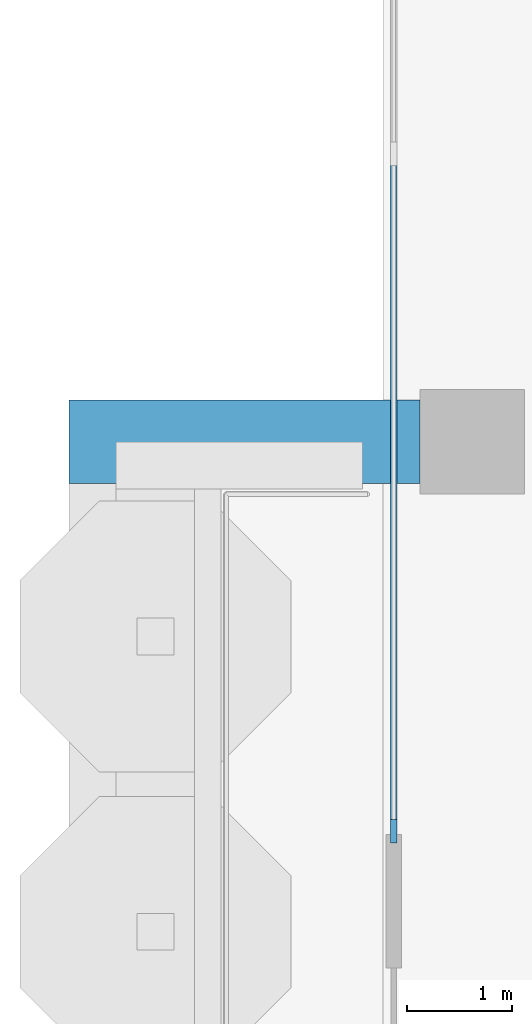
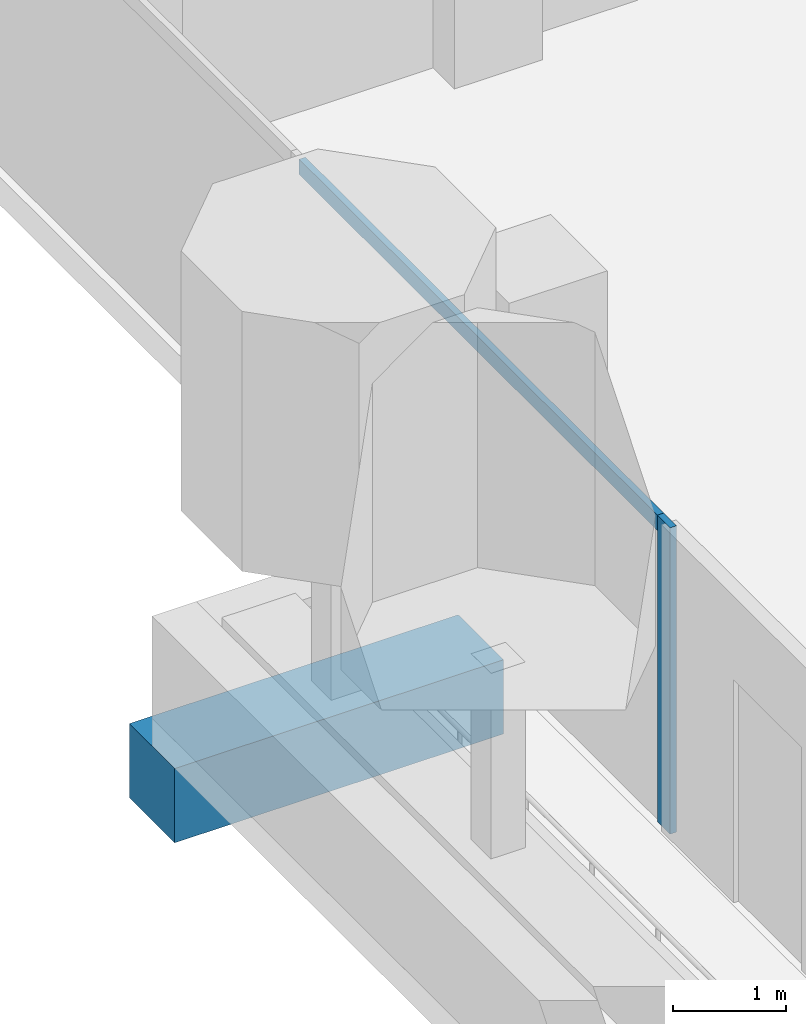
# One storey, part 3 of 18: 2 members, 1 beam, 1 element without a shape of its own.
"""IFC4 building model written with IfcOpenShell, lengths in metres."""

from ifc_helpers import new_model, si_unit, direction, frame, origin, origin_2d, place, context, subcontext, project, spatial, rectangle, extrude, material, material_profile, profile_set, type_object, element, aggregate, save


model = new_model("IFC4")

# Units and contexts
model_context = context("Model", 3, precision=1e-05, world=origin(), true_north=direction((0.0, 1.0)))
body_context = subcontext(model_context, "Body", "Model", "MODEL_VIEW")
ifc_project = project(units=[si_unit("LENGTHUNIT", "METRE"), si_unit("AREAUNIT", "SQUARE_METRE"), si_unit("VOLUMEUNIT", "CUBIC_METRE"), si_unit("PLANEANGLEUNIT", "RADIAN"), si_unit("MASSUNIT", "GRAM", prefix="KILO")], contexts=[model_context])

# Site, building, storey
site_placement = place(None, origin())
site = spatial("IfcSite", under=ifc_project, at=site_placement, CompositionType="ELEMENT")
building_placement = place(site_placement, origin())
building = spatial("IfcBuilding", under=site, at=building_placement, Name="Pilkhan Gate Tower", CompositionType="ELEMENT")
storey_placement = place(building_placement, frame((0.0, 0.0, 210.300048828125)))
storey = spatial("IfcBuildingStorey", under=building, at=storey_placement, Name="L54", CompositionType="ELEMENT", Elevation=210.300048828125)

# Beam
ifc_material_1 = material(Name="Concrete C50/60", Category="concrete")
ifc_material_profile_1 = material_profile(ifc_material_1, rectangle(XDim=0.800048828125, YDim=0.800048828125, at=origin_2d()), Name="RC 800x800")
ifc_profile_set_1 = profile_set([ifc_material_profile_1], Name="Concrete C50/60")
beam_type = type_object("IfcBeamType", Name="Cantilever beam CB2 RC 800x800 C50/60", PredefinedType="BEAM", material=ifc_profile_set_1)
beam_placement = place(storey_placement, frame((48.25, 67.5, -0.699951171875), z_axis=(-1.0, 0.0, 0.0), x_axis=(0.0, -1.0, 0.0)))
element("IfcBeam", 1, at=beam_placement, inside=storey, type_object=beam_type, Name="Balcony beam W.3 L54", PredefinedType="BEAM", context=body_context, shape_type="SweptSolid", body=[
    extrude(rectangle(XDim=0.800048828125, YDim=0.800048828125, at=origin_2d()), origin(), (0.0, 0.0, 1.0), 3.35009765625),
])

# Curtain wall, members
ifc_material_2 = material(Name="Pale anodised aluminium, clear low-iron double glazing", Category="aluminium")
curtain_wall_type = type_object("IfcCurtainWallType", Name="Office unitised curtain wall CW-O2", PredefinedType="USERDEFINED", material=ifc_material_2)
curtain_wall_placement = place(storey_placement, origin())
curtain_wall = element("IfcCurtainWall", 2, at=curtain_wall_placement, inside=storey, type_object=curtain_wall_type, Name="Office unitised curtain wall CW-O2 L54 W", ObjectType="UNITISED CURTAIN WALL", PredefinedType="USERDEFINED")
ifc_material_3 = material(Name="Pale anodised aluminium", Category="aluminium")
ifc_material_profile_2 = material_profile(ifc_material_3, rectangle(XDim=0.06494140625, YDim=0.22509765625, at=origin_2d()), Name="Mullion 225x65")
ifc_profile_set_2 = profile_set([ifc_material_profile_2], Name="Pale anodised aluminium")
member_type_1 = type_object("IfcMemberType", Name="Mullion CW-O2 225x65", PredefinedType="MULLION", material=ifc_profile_set_2)
member_1_placement = place(storey_placement, frame((48.0, 63.782470703125, 0.0), z_axis=(0.0, 0.0, 1.0), x_axis=(-1.0, 0.0, 0.0)))
member_1 = element("IfcMember", 3, at=member_1_placement, type_object=member_type_1, Name="CW-O2 mullion 1", PredefinedType="MULLION", context=body_context, shape_type="SweptSolid", body=[
    extrude(rectangle(XDim=0.06494140625, YDim=0.22509765625, at=origin_2d()), origin(), (0.0, 0.0, 1.0), 3.300048828125),
])
ifc_material_profile_3 = material_profile(ifc_material_3, rectangle(XDim=0.06494140625, YDim=0.1650390625, at=origin_2d()), Name="Transom 165x65")
ifc_profile_set_3 = profile_set([ifc_material_profile_3], Name="Pale anodised aluminium")
member_type_2 = type_object("IfcMemberType", Name="Transom CW-O2 165x65", PredefinedType="USERDEFINED", material=ifc_profile_set_3)
member_2_placement = place(storey_placement, frame((48.0, 63.81494140625, 3.217529296875), z_axis=(0.0, 1.0, 0.0), x_axis=(-1.0, 0.0, 0.0)))
member_2 = element("IfcMember", 4, at=member_2_placement, type_object=member_type_2, Name="CW-O2 transom 1", ObjectType="TRANSOM", PredefinedType="USERDEFINED", context=body_context, shape_type="SweptSolid", body=[
    extrude(rectangle(XDim=0.06494140625, YDim=0.1650390625, at=origin_2d()), origin(), (0.0, 0.0, 1.0), 6.402587890625),
])
aggregate(curtain_wall, [member_1, member_2])

save(model, "model.ifc")
